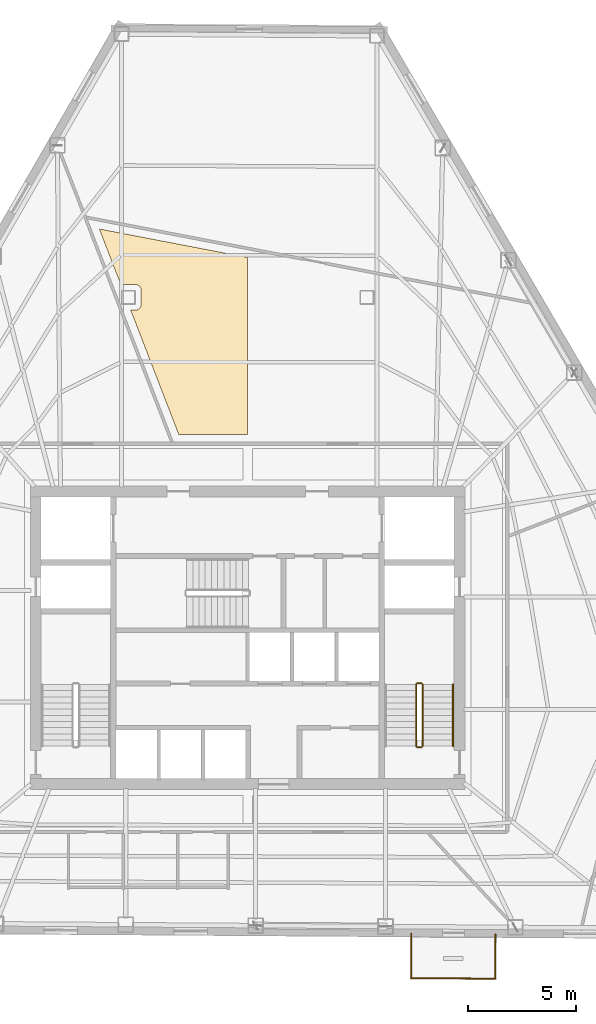
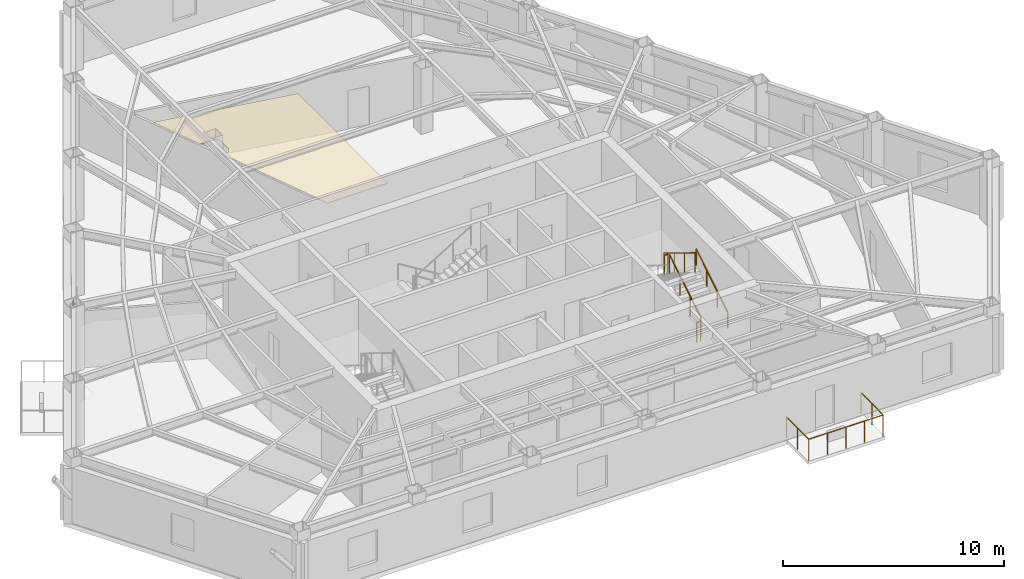
# One storey, part 12 of 12: 8 railings, 1 covering.
"""IFC4 building model written with IfcOpenShell, lengths in metres."""

from ifc_helpers import new_model, si_unit, direction, frame, origin, origin_2d, place, context, subcontext, project, spatial, polyline, circle, outline, extrude, material, layer, layer_set, type_object, element, save


model = new_model("IFC4")

# Units and contexts
model_context = context("Model", 3, precision=1e-05, world=origin(), true_north=direction((0.0, 1.0)))
body_context = subcontext(model_context, "Body", "Model", "MODEL_VIEW")
ifc_project = project(units=[si_unit("LENGTHUNIT", "METRE"), si_unit("AREAUNIT", "SQUARE_METRE"), si_unit("VOLUMEUNIT", "CUBIC_METRE"), si_unit("PLANEANGLEUNIT", "RADIAN"), si_unit("MASSUNIT", "GRAM", prefix="KILO")], contexts=[model_context])

# Site, building, storey
site_placement = place(None, origin())
site = spatial("IfcSite", under=ifc_project, at=site_placement, CompositionType="ELEMENT")
building_placement = place(site_placement, origin())
building = spatial("IfcBuilding", under=site, at=building_placement, Name="Kavelnor Concourse Tower", CompositionType="ELEMENT")
storey_placement = place(building_placement, frame((0.0, 0.0, 120.14990234375)))
storey = spatial("IfcBuildingStorey", under=building, at=storey_placement, Name="L30", CompositionType="ELEMENT", Elevation=120.14990234375)

# Covering
ifc_material_1 = material(Name="Mineral fibre acoustic ceiling tile")
ifc_layer = layer(ifc_material_1, 0.0400390625, Name="Mineral fibre acoustic ceiling tile")
ifc_layer_set = layer_set([ifc_layer], Name="Mineral fibre acoustic ceiling tile")
covering_type = type_object("IfcCoveringType", Name="COV-CEILING-ACOUSTIC", PredefinedType="CEILING", material=ifc_layer_set)
covering_placement = place(storey_placement, frame((0.0, 0.0, 2.75)))
element("IfcCovering", 1, at=covering_placement, inside=storey, type_object=covering_type, Name="L30 Suspended Acoustic Ceiling", PredefinedType="CEILING", context=body_context, shape_type="SweptSolid", body=[
    extrude(outline(polyline([(34.823486328125, 25.472412109375), (32.606689453125, 31.2099609375), (32.820068359375, 31.2099609375), (32.832275390625, 31.210205078125), (32.834228515625, 31.21044921875), (32.858642578125, 31.212890625), (32.860595703125, 31.213134765625), (32.884521484375, 31.218017578125), (32.88671875, 31.218505859375), (32.909912109375, 31.2255859375), (32.911865234375, 31.22607421875), (32.9345703125, 31.235595703125), (32.936279296875, 31.236328125), (32.9580078125, 31.247802734375), (32.959716796875, 31.248779296875), (32.97998046875, 31.2626953125), (32.981689453125, 31.263671875), (33.00048828125, 31.279296875), (33.001953125, 31.280517578125), (33.019287109375, 31.298095703125), (33.020751953125, 31.29931640625), (33.036376953125, 31.318359375), (33.037353515625, 31.320068359375), (33.051025390625, 31.34033203125), (33.052001953125, 31.342041015625), (33.063720703125, 31.36376953125), (33.064453125, 31.365478515625), (33.073974609375, 31.38818359375), (33.074462890625, 31.389892578125), (33.08154296875, 31.413330078125), (33.08203125, 31.415283203125), (33.0869140625, 31.439453125), (33.087158203125, 31.44140625), (33.089599609375, 31.4658203125), (33.089599609375, 31.4677734375), (33.090087890625, 31.47998046875), (33.090087890625, 32.1201171875), (33.089599609375, 32.13232421875), (33.089599609375, 32.13427734375), (33.087158203125, 32.15869140625), (33.0869140625, 32.16064453125), (33.08203125, 32.1845703125), (33.08154296875, 32.1865234375), (33.074462890625, 32.2099609375), (33.073974609375, 32.2119140625), (33.064453125, 32.234619140625), (33.063720703125, 32.236328125), (33.052001953125, 32.258056640625), (33.051025390625, 32.259521484375), (33.037353515625, 32.280029296875), (33.036376953125, 32.281494140625), (33.020751953125, 32.300537109375), (33.019287109375, 32.302001953125), (33.001953125, 32.3193359375), (33.00048828125, 32.32080078125), (32.981689453125, 32.336181640625), (32.97998046875, 32.33740234375), (32.959716796875, 32.35107421875), (32.9580078125, 32.35205078125), (32.936279296875, 32.363525390625), (32.9345703125, 32.364501953125), (32.911865234375, 32.373779296875), (32.909912109375, 32.37451171875), (32.88671875, 32.381591796875), (32.884521484375, 32.382080078125), (32.860595703125, 32.386962890625), (32.858642578125, 32.38720703125), (32.834228515625, 32.3896484375), (32.832275390625, 32.3896484375), (32.820068359375, 32.389892578125), (32.179931640625, 32.389892578125), (32.167724609375, 32.3896484375), (32.165771484375, 32.3896484375), (32.151611328125, 32.38818359375), (31.160888671875, 34.9521484375), (37.9951171875, 33.638671875), (37.9951171875, 25.472412109375), (34.823486328125, 25.472412109375)])), origin(), (0.0, 0.0, 1.0), 0.0400390625),
])

# Railings
ifc_material_2 = material(Name="Steel Grade 350", Category="steel")
railing_type_1 = type_object("IfcRailingType", Name="RLG-GUARD-1100", PredefinedType="GUARDRAIL", material=ifc_material_2)
railing_1_placement = place(storey_placement, frame((46.070068359375, 11.10009765625, 0.175048828125)))
element("IfcRailing", 2, at=railing_1_placement, inside=storey, type_object=railing_type_1, Name="L30 ST2 stair guard 1", PredefinedType="GUARDRAIL", context=body_context, shape_type="SweptSolid", body=[
    extrude(circle(Radius=0.02392578125, at=origin_2d()), frame((0.0, 0.0, 1.076171875), z_axis=(0.0, 0.852159232446, 0.523282564737), x_axis=(-1.0, 0.0, 0.0)), (0.0, 0.0, 1.0), 3.34423828125),
    extrude(circle(Radius=0.02099609375, at=origin_2d()), origin(), (0.0, 0.0, 1.0), 1.052001953125),
    extrude(circle(Radius=0.02099609375, at=origin_2d()), frame((0.0, 0.949951171875, 0.583251953125)), (0.0, 0.0, 1.0), 1.052001953125),
    extrude(circle(Radius=0.02099609375, at=origin_2d()), frame((0.0, 1.89990234375, 1.166748046875)), (0.0, 0.0, 1.0), 1.052001953125),
    extrude(circle(Radius=0.02099609375, at=origin_2d()), frame((0.0, 2.849853515625, 1.75)), (0.0, 0.0, 1.0), 1.052001953125),
])
railing_2_placement = place(storey_placement, frame((46.02001953125, 14.0, 1.925048828125)))
element("IfcRailing", 3, at=railing_2_placement, inside=storey, type_object=railing_type_1, Name="L30 ST2 stair guard 2", PredefinedType="GUARDRAIL", context=body_context, shape_type="SweptSolid", body=[
    extrude(circle(Radius=0.02392578125, at=origin_2d()), frame((0.0, 0.0, 1.076171875), z_axis=(-1.0, 0.0, 0.0), x_axis=(0.0, -1.0, 0.0)), (0.0, 0.0, 1.0), 0.199951171875),
    extrude(circle(Radius=0.02099609375, at=origin_2d()), origin(), (0.0, 0.0, 1.0), 1.052001953125),
    extrude(circle(Radius=0.02099609375, at=origin_2d()), frame((-0.199951171875, 0.0, 0.0)), (0.0, 0.0, 1.0), 1.052001953125),
])
railing_3_placement = place(storey_placement, frame((45.77001953125, 13.949951171875, 2.10009765625)))
element("IfcRailing", 4, at=railing_3_placement, inside=storey, type_object=railing_type_1, Name="L30 ST2 stair guard 3", PredefinedType="GUARDRAIL", context=body_context, shape_type="SweptSolid", body=[
    extrude(circle(Radius=0.02392578125, at=origin_2d()), frame((0.0, 0.0, 1.076171875), z_axis=(0.0, -0.852159232446, 0.523282564737), x_axis=(1.0, 0.0, 0.0)), (0.0, 0.0, 1.0), 3.34423828125),
    extrude(circle(Radius=0.02099609375, at=origin_2d()), origin(), (0.0, 0.0, 1.0), 1.052001953125),
    extrude(circle(Radius=0.02099609375, at=origin_2d()), frame((0.0, -0.949951171875, 0.583251953125)), (0.0, 0.0, 1.0), 1.052001953125),
    extrude(circle(Radius=0.02099609375, at=origin_2d()), frame((0.0, -1.89990234375, 1.166748046875)), (0.0, 0.0, 1.0), 1.052001953125),
    extrude(circle(Radius=0.02099609375, at=origin_2d()), frame((0.0, -2.849853515625, 1.75)), (0.0, 0.0, 1.0), 1.052001953125),
])
railing_4_placement = place(storey_placement, frame((46.02001953125, 11.050048828125, 0.0)))
element("IfcRailing", 5, at=railing_4_placement, inside=storey, type_object=railing_type_1, Name="L30 ST2 stair guard 4", PredefinedType="GUARDRAIL", context=body_context, shape_type="SweptSolid", body=[
    extrude(circle(Radius=0.02392578125, at=origin_2d()), frame((0.0, 0.0, 1.076171875), z_axis=(-1.0, 0.0, 0.0), x_axis=(0.0, -1.0, 0.0)), (0.0, 0.0, 1.0), 0.199951171875),
    extrude(circle(Radius=0.02099609375, at=origin_2d()), origin(), (0.0, 0.0, 1.0), 1.052001953125),
    extrude(circle(Radius=0.02099609375, at=origin_2d()), frame((-0.199951171875, 0.0, 0.0)), (0.0, 0.0, 1.0), 1.052001953125),
])
railing_type_2 = type_object("IfcRailingType", Name="RLG-HANDRAIL-900", PredefinedType="HANDRAIL", material=ifc_material_2)
railing_5_placement = place(storey_placement, frame((47.469970703125, 11.10009765625, 0.175048828125)))
element("IfcRailing", 6, at=railing_5_placement, inside=storey, type_object=railing_type_2, Name="L30 ST2 stair handrail 1", PredefinedType="HANDRAIL", context=body_context, shape_type="SweptSolid", body=[
    extrude(circle(Radius=0.02392578125, at=origin_2d()), frame((0.0, 0.0, 0.8759765625), z_axis=(0.0, 0.852159232446, 0.523282564737), x_axis=(-1.0, 0.0, 0.0)), (0.0, 0.0, 1.0), 3.34423828125),
    extrude(circle(Radius=0.02099609375, at=origin_2d()), origin(), (0.0, 0.0, 1.0), 0.851806640625),
    extrude(circle(Radius=0.02099609375, at=origin_2d()), frame((0.0, 0.949951171875, 0.583251953125)), (0.0, 0.0, 1.0), 0.851806640625),
    extrude(circle(Radius=0.02099609375, at=origin_2d()), frame((0.0, 1.89990234375, 1.166748046875)), (0.0, 0.0, 1.0), 0.851806640625),
    extrude(circle(Radius=0.02099609375, at=origin_2d()), frame((0.0, 2.849853515625, 1.75)), (0.0, 0.0, 1.0), 0.851806640625),
])
ifc_material_3 = material(Name="Architectural bronze-anodised aluminium", Category="aluminium")
railing_type_3 = type_object("IfcRailingType", Name="RLG-TERRACE-1200", PredefinedType="BALUSTRADE", material=ifc_material_3)
railing_6_placement = place(storey_placement, frame((45.550048828125, 2.45654296875, 0.0)))
element("IfcRailing", 7, at=railing_6_placement, inside=storey, type_object=railing_type_3, Name="L30 Tree Balcony 2 Guardrail L", PredefinedType="BALUSTRADE", context=body_context, shape_type="SweptSolid", body=[
    extrude(circle(Radius=0.02392578125, at=origin_2d()), frame((0.0, 0.0, 1.17578125), z_axis=(-0.006907064007, -0.999976145949, 0.0), x_axis=(0.999976145949, -0.006907064007, 0.0)), (0.0, 0.0, 1.0), 2.050048828125),
    extrude(circle(Radius=0.02099609375, at=origin_2d()), origin(), (0.0, 0.0, 1.0), 1.15185546875),
    extrude(circle(Radius=0.02099609375, at=origin_2d()), frame((-0.007080078125, -1.02490234375, 0.0)), (0.0, 0.0, 1.0), 1.15185546875),
    extrude(circle(Radius=0.02099609375, at=origin_2d()), frame((-0.01416015625, -2.050048828125, 0.0)), (0.0, 0.0, 1.0), 1.15185546875),
])
railing_7_placement = place(storey_placement, frame((45.535888671875, 0.406494140625, 0.0)))
element("IfcRailing", 8, at=railing_7_placement, inside=storey, type_object=railing_type_3, Name="L30 Tree Balcony 2 Guardrail F", PredefinedType="BALUSTRADE", context=body_context, shape_type="SweptSolid", body=[
    extrude(circle(Radius=0.02392578125, at=origin_2d()), frame((0.0, 0.0, 1.17578125), z_axis=(0.999976045746, -0.006921555816, 0.0), x_axis=(0.006921555816, 0.999976045746, 0.0)), (0.0, 0.0, 1.0), 3.8798828125),
    extrude(circle(Radius=0.02099609375, at=origin_2d()), origin(), (0.0, 0.0, 1.0), 1.15185546875),
    extrude(circle(Radius=0.02099609375, at=origin_2d()), frame((0.969970703125, -0.0068359375, 0.0)), (0.0, 0.0, 1.0), 1.15185546875),
    extrude(circle(Radius=0.02099609375, at=origin_2d()), frame((1.93994140625, -0.013427734375, 0.0)), (0.0, 0.0, 1.0), 1.15185546875),
    extrude(circle(Radius=0.02099609375, at=origin_2d()), frame((2.909912109375, -0.02001953125, 0.0)), (0.0, 0.0, 1.0), 1.15185546875),
    extrude(circle(Radius=0.02099609375, at=origin_2d()), frame((3.8798828125, -0.02685546875, 0.0)), (0.0, 0.0, 1.0), 1.15185546875),
])
railing_8_placement = place(storey_placement, frame((49.415771484375, 0.379638671875, 0.0)))
element("IfcRailing", 9, at=railing_8_placement, inside=storey, type_object=railing_type_3, Name="L30 Tree Balcony 2 Guardrail R", PredefinedType="BALUSTRADE", context=body_context, shape_type="SweptSolid", body=[
    extrude(circle(Radius=0.02392578125, at=origin_2d()), frame((0.0, 0.0, 1.17578125), z_axis=(0.006907064007, 0.999976145949, 0.0), x_axis=(-0.999976145949, 0.006907064007, 0.0)), (0.0, 0.0, 1.0), 2.050048828125),
    extrude(circle(Radius=0.02099609375, at=origin_2d()), origin(), (0.0, 0.0, 1.0), 1.15185546875),
    extrude(circle(Radius=0.02099609375, at=origin_2d()), frame((0.007080078125, 1.02490234375, 0.0)), (0.0, 0.0, 1.0), 1.15185546875),
    extrude(circle(Radius=0.02099609375, at=origin_2d()), frame((0.01416015625, 2.050048828125, 0.0)), (0.0, 0.0, 1.0), 1.15185546875),
])

save(model, "model.ifc")
